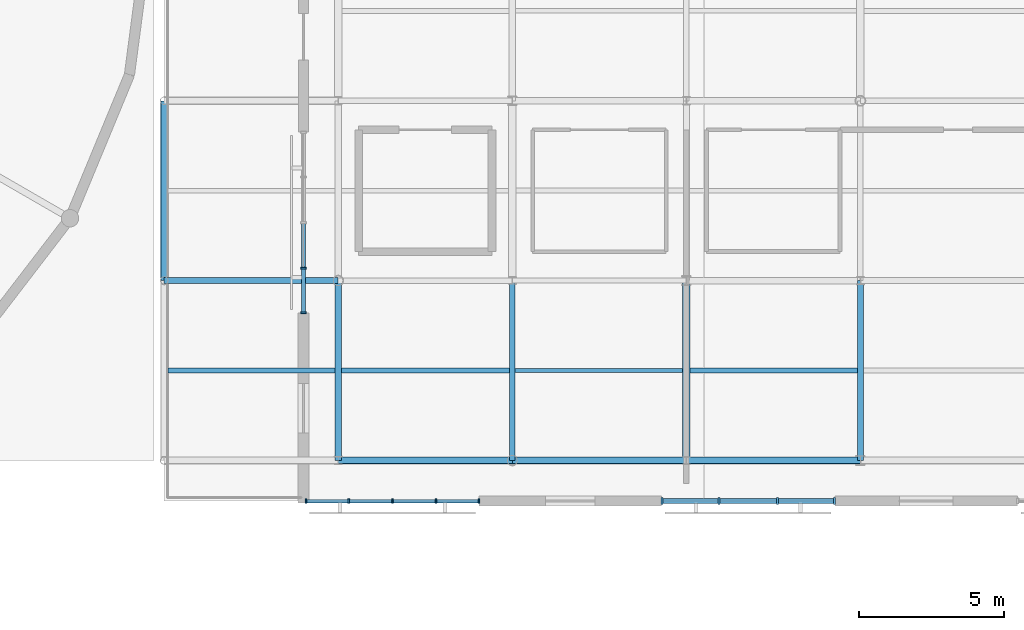
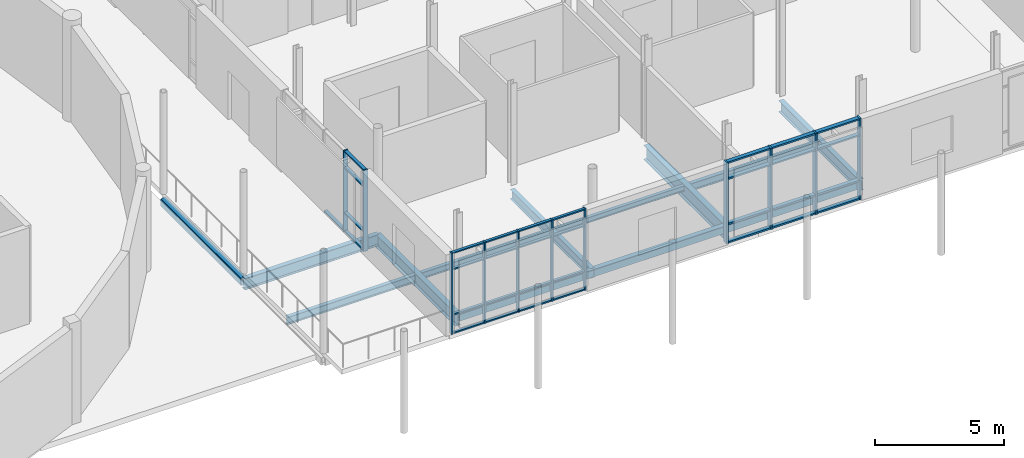
# One storey, part 25 of 84: 44 members, 13 beams, 3 elements without a shape of their own.
"""IFC4 building model written with IfcOpenShell, lengths in metres."""

from ifc_helpers import new_model, si_unit, direction, frame, origin, origin_2d, place, context, subcontext, project, spatial, rectangle, hollow_rectangle, i_section, extrude, material, layer, layer_set, material_profile, profile_set, type_object, element, aggregate, save


model = new_model("IFC4")

# Units and contexts
model_context = context("Model", 3, precision=1e-05, world=origin(), true_north=direction((0.0, 1.0)))
body_context = subcontext(model_context, "Body", "Model", "MODEL_VIEW")
ifc_project = project(units=[si_unit("LENGTHUNIT", "METRE"), si_unit("AREAUNIT", "SQUARE_METRE"), si_unit("VOLUMEUNIT", "CUBIC_METRE"), si_unit("PLANEANGLEUNIT", "RADIAN"), si_unit("MASSUNIT", "GRAM", prefix="KILO")], contexts=[model_context])

# Site, building, storey
site_placement = place(None, origin())
site = spatial("IfcSite", under=ifc_project, at=site_placement, CompositionType="ELEMENT")
building_placement = place(site_placement, origin())
building = spatial("IfcBuilding", under=site, at=building_placement, Name="Mirzam Square Science Centre", CompositionType="ELEMENT")
storey_placement = place(building_placement, frame((0.0, 0.0, 10.800048828125)))
storey = spatial("IfcBuildingStorey", under=building, at=storey_placement, Name="L02", CompositionType="ELEMENT", Elevation=10.800048828125)

# Beams
ifc_material_1 = material(Name="Steel S355", Category="steel")
ifc_material_profile_1 = material_profile(ifc_material_1, i_section(OverallWidth=0.19140625, OverallDepth=0.4599609375, WebThickness=0.010009765625, FlangeThickness=0.01611328125, FilletRadius=0.01025390625, at=origin_2d()), Name="457x191x82UB")
ifc_profile_set_1 = profile_set([ifc_material_profile_1], Name="Steel S355")
beam_type_1 = type_object("IfcBeamType", Name="BM-UB457", PredefinedType="BEAM", material=ifc_profile_set_1)
beam_1_placement = place(storey_placement, frame((114.0, 43.39990234375, -0.47998046875), z_axis=(0.0, 1.0, 0.0), x_axis=(-1.0, 0.0, 0.0)))
element("IfcBeam", 1, at=beam_1_placement, inside=storey, type_object=beam_type_1, Name="L02 girder Y20-8", PredefinedType="BEAM", context=body_context, shape_type="SweptSolid", body=[
    extrude(i_section(OverallWidth=0.19140625, OverallDepth=0.4599609375, WebThickness=0.010009765625, FlangeThickness=0.01611328125, FilletRadius=0.01025390625, at=origin_2d()), origin(), (0.0, 0.0, 1.0), 6.2001953125),
])
ifc_material_profile_2 = material_profile(ifc_material_1, i_section(OverallWidth=0.2099609375, OverallDepth=0.53662109375, WebThickness=0.0107421875, FlangeThickness=0.017333984375, FilletRadius=0.0126953125, at=origin_2d()), Name="533x210x101UB")
ifc_profile_set_2 = profile_set([ifc_material_profile_2], Name="Steel S355")
beam_type_2 = type_object("IfcBeamType", Name="BM-UB533", PredefinedType="BEAM", material=ifc_profile_set_2)
beam_2_placement = place(storey_placement, frame((102.0, 49.60009765625, -0.518310546875), z_axis=(1.0, 0.0, 0.0), x_axis=(0.0, 1.0, 0.0)))
element("IfcBeam", 2, at=beam_2_placement, inside=storey, type_object=beam_type_2, Name="L02 girder X18-9", PredefinedType="BEAM", context=body_context, shape_type="SweptSolid", body=[
    extrude(i_section(OverallWidth=0.2099609375, OverallDepth=0.53662109375, WebThickness=0.0107421875, FlangeThickness=0.017333984375, FilletRadius=0.0126953125, at=origin_2d()), origin(), (0.0, 0.0, 1.0), 6.0),
])
beam_3_placement = place(storey_placement, frame((126.0, 43.39990234375, -0.518310546875), z_axis=(0.0, 1.0, 0.0), x_axis=(-1.0, 0.0, 0.0)))
element("IfcBeam", 3, at=beam_3_placement, inside=storey, type_object=beam_type_2, Name="L02 girder Y22-8", PredefinedType="BEAM", context=body_context, shape_type="SweptSolid", body=[
    extrude(i_section(OverallWidth=0.2099609375, OverallDepth=0.53662109375, WebThickness=0.0107421875, FlangeThickness=0.017333984375, FilletRadius=0.0126953125, at=origin_2d()), origin(), (0.0, 0.0, 1.0), 6.2001953125),
])
ifc_material_profile_3 = material_profile(ifc_material_1, i_section(OverallWidth=0.22900390625, OverallDepth=0.6123046875, WebThickness=0.011962890625, FlangeThickness=0.01953125, FilletRadius=0.0126953125, at=origin_2d()), Name="610x229x125UB")
ifc_profile_set_3 = profile_set([ifc_material_profile_3], Name="Steel S355")
beam_type_3 = type_object("IfcBeamType", Name="BM-UB610", PredefinedType="BEAM", material=ifc_profile_set_3)
beam_4_placement = place(storey_placement, frame((108.0, 43.39990234375, -0.55615234375), z_axis=(0.0, 1.0, 0.0), x_axis=(-1.0, 0.0, 0.0)))
element("IfcBeam", 4, at=beam_4_placement, inside=storey, type_object=beam_type_3, Name="L02 girder Y19-8", PredefinedType="BEAM", context=body_context, shape_type="SweptSolid", body=[
    extrude(i_section(OverallWidth=0.22900390625, OverallDepth=0.6123046875, WebThickness=0.011962890625, FlangeThickness=0.01953125, FilletRadius=0.0126953125, at=origin_2d()), origin(), (0.0, 0.0, 1.0), 6.2001953125),
])
ifc_material_profile_4 = material_profile(ifc_material_1, i_section(OverallWidth=0.25439453125, OverallDepth=0.6875, WebThickness=0.01318359375, FlangeThickness=0.02099609375, FilletRadius=0.01513671875, at=origin_2d()), Name="686x254x152UB")
ifc_profile_set_4 = profile_set([ifc_material_profile_4], Name="Steel S355")
beam_type_4 = type_object("IfcBeamType", Name="BM-UB686", PredefinedType="BEAM", material=ifc_profile_set_4)
beam_5_placement = place(storey_placement, frame((120.0, 43.39990234375, -0.59375), z_axis=(0.0, 1.0, 0.0), x_axis=(-1.0, 0.0, 0.0)))
element("IfcBeam", 5, at=beam_5_placement, inside=storey, type_object=beam_type_4, Name="L02 girder Y21-8", PredefinedType="BEAM", context=body_context, shape_type="SweptSolid", body=[
    extrude(i_section(OverallWidth=0.25439453125, OverallDepth=0.6875, WebThickness=0.01318359375, FlangeThickness=0.02099609375, FilletRadius=0.01513671875, at=origin_2d()), origin(), (0.0, 0.0, 1.0), 6.2001953125),
])

# Curtain wall, members
ifc_material_2 = material(Name="Anodised Aluminium and Low-E Solar Glass", Category="aluminium")
ifc_layer_1 = layer(ifc_material_2, 0.159912109375)
ifc_layer_set_1 = layer_set([ifc_layer_1], Name="CW-COURT-B")
curtain_wall_type_1 = type_object("IfcCurtainWallType", Name="CW-COURT-B", PredefinedType="USERDEFINED", material=ifc_layer_set_1)
curtain_wall_1_placement = place(storey_placement, origin())
curtain_wall_1 = element("IfcCurtainWall", 6, at=curtain_wall_1_placement, inside=storey, type_object=curtain_wall_type_1, Name="L02 unitised curtain wall 100", ObjectType="UNITISED CURTAIN WALL", PredefinedType="USERDEFINED")
ifc_material_3 = material(Name="Anodised Architectural Aluminium 6063-T6", Category="aluminium")
ifc_material_profile_5 = material_profile(ifc_material_3, rectangle(XDim=0.06005859375, YDim=0.159912109375, at=origin_2d()), Name="ALU-MULL-160x60x4")
ifc_profile_set_5 = profile_set([ifc_material_profile_5], Name="Anodised Architectural Aluminium 6063-T6")
member_type_1 = type_object("IfcMemberType", Name="CWM-160", PredefinedType="MULLION", material=ifc_profile_set_5)
member_1_placement = place(storey_placement, frame((106.885009765625, 42.0, 0.0), z_axis=(0.0, 0.0, 1.0), x_axis=(1.0, 0.0, 0.0)))
member_1 = element("IfcMember", 7, at=member_1_placement, type_object=member_type_1, Name="CW-04 mullion 1", PredefinedType="MULLION", context=body_context, shape_type="SweptSolid", body=[
    extrude(rectangle(XDim=0.06005859375, YDim=0.159912109375, at=origin_2d()), origin(), (0.0, 0.0, 1.0), 3.83984375),
])
member_2_placement = place(storey_placement, frame((108.36083984375, 42.0, 0.0), z_axis=(0.0, 0.0, 1.0), x_axis=(1.0, 0.0, 0.0)))
member_2 = element("IfcMember", 8, at=member_2_placement, type_object=member_type_1, Name="CW-04 mullion 2", PredefinedType="MULLION", context=body_context, shape_type="SweptSolid", body=[
    extrude(rectangle(XDim=0.06005859375, YDim=0.159912109375, at=origin_2d()), origin(), (0.0, 0.0, 1.0), 3.83984375),
])
member_3_placement = place(storey_placement, frame((109.86669921875, 42.0, 0.0), z_axis=(0.0, 0.0, 1.0), x_axis=(1.0, 0.0, 0.0)))
member_3 = element("IfcMember", 9, at=member_3_placement, type_object=member_type_1, Name="CW-04 mullion 3", PredefinedType="MULLION", context=body_context, shape_type="SweptSolid", body=[
    extrude(rectangle(XDim=0.06005859375, YDim=0.159912109375, at=origin_2d()), origin(), (0.0, 0.0, 1.0), 3.83984375),
])
member_4_placement = place(storey_placement, frame((111.37255859375, 42.0, 0.0), z_axis=(0.0, 0.0, 1.0), x_axis=(1.0, 0.0, 0.0)))
member_4 = element("IfcMember", 10, at=member_4_placement, type_object=member_type_1, Name="CW-04 mullion 4", PredefinedType="MULLION", context=body_context, shape_type="SweptSolid", body=[
    extrude(rectangle(XDim=0.06005859375, YDim=0.159912109375, at=origin_2d()), origin(), (0.0, 0.0, 1.0), 3.83984375),
])
member_5_placement = place(storey_placement, frame((112.848388671875, 42.0, 0.0), z_axis=(0.0, 0.0, 1.0), x_axis=(1.0, 0.0, 0.0)))
member_5 = element("IfcMember", 11, at=member_5_placement, type_object=member_type_1, Name="CW-04 mullion 5", PredefinedType="MULLION", context=body_context, shape_type="SweptSolid", body=[
    extrude(rectangle(XDim=0.06005859375, YDim=0.159912109375, at=origin_2d()), origin(), (0.0, 0.0, 1.0), 3.83984375),
])

ifc_layer_2 = layer(ifc_material_2, 0.179931640625)
ifc_layer_set_2 = layer_set([ifc_layer_2], Name="CW-LINK-A")
curtain_wall_type_2 = type_object("IfcCurtainWallType", Name="CW-LINK-A", PredefinedType="USERDEFINED", material=ifc_layer_set_2)
curtain_wall_2_placement = place(storey_placement, origin())
curtain_wall_2 = element("IfcCurtainWall", 12, at=curtain_wall_2_placement, inside=storey, type_object=curtain_wall_type_2, Name="L02 unitised curtain wall 112", ObjectType="UNITISED CURTAIN WALL", PredefinedType="USERDEFINED")
ifc_material_profile_6 = material_profile(ifc_material_3, rectangle(XDim=0.06494140625, YDim=0.199951171875, at=origin_2d()), Name="ALU-MULL-200x65x5")
ifc_profile_set_6 = profile_set([ifc_material_profile_6], Name="Anodised Architectural Aluminium 6063-T6")
member_type_2 = type_object("IfcMemberType", Name="CWM-200", PredefinedType="MULLION", material=ifc_profile_set_6)
member_6_placement = place(storey_placement, frame((106.800048828125, 50.027587890625, 0.0), z_axis=(0.0, 0.0, 1.0), x_axis=(0.0, -1.0, 0.0)))
member_6 = element("IfcMember", 13, at=member_6_placement, type_object=member_type_2, Name="CW-08 mullion 4", PredefinedType="MULLION", context=body_context, shape_type="SweptSolid", body=[
    extrude(rectangle(XDim=0.06494140625, YDim=0.199951171875, at=origin_2d()), origin(), (0.0, 0.0, 1.0), 3.83984375),
])
member_7_placement = place(storey_placement, frame((106.800048828125, 48.487548828125, 0.0), z_axis=(0.0, 0.0, 1.0), x_axis=(0.0, -1.0, 0.0)))
member_7 = element("IfcMember", 14, at=member_7_placement, type_object=member_type_2, Name="CW-08 mullion 5", PredefinedType="MULLION", context=body_context, shape_type="SweptSolid", body=[
    extrude(rectangle(XDim=0.06494140625, YDim=0.199951171875, at=origin_2d()), origin(), (0.0, 0.0, 1.0), 3.83984375),
])

ifc_layer_3 = layer(ifc_material_2, 0.239990234375)
ifc_layer_set_3 = layer_set([ifc_layer_3], Name="CW-EAST-B")
curtain_wall_type_3 = type_object("IfcCurtainWallType", Name="CW-EAST-B", PredefinedType="USERDEFINED", material=ifc_layer_set_3)
curtain_wall_3_placement = place(storey_placement, origin())
curtain_wall_3 = element("IfcCurtainWall", 15, at=curtain_wall_3_placement, inside=storey, type_object=curtain_wall_type_3, Name="L02 unitised curtain wall 101", ObjectType="UNITISED CURTAIN WALL", PredefinedType="USERDEFINED")
ifc_material_profile_7 = material_profile(ifc_material_3, rectangle(XDim=0.074951171875, YDim=0.239990234375, at=origin_2d()), Name="ALU-MULL-240x75x5")
ifc_profile_set_7 = profile_set([ifc_material_profile_7], Name="Anodised Architectural Aluminium 6063-T6")
member_type_3 = type_object("IfcMemberType", Name="CWM-240", PredefinedType="MULLION", material=ifc_profile_set_7)
member_8_placement = place(storey_placement, frame((119.1591796875, 42.0, 0.0), z_axis=(0.0, 0.0, 1.0), x_axis=(1.0, 0.0, 0.0)))
member_8 = element("IfcMember", 16, at=member_8_placement, type_object=member_type_3, Name="CW-06 mullion 1", PredefinedType="MULLION", context=body_context, shape_type="SweptSolid", body=[
    extrude(rectangle(XDim=0.074951171875, YDim=0.239990234375, at=origin_2d()), origin(), (0.0, 0.0, 1.0), 3.83984375),
])
member_9_placement = place(storey_placement, frame((121.12939453125, 42.0, 0.0), z_axis=(0.0, 0.0, 1.0), x_axis=(1.0, 0.0, 0.0)))
member_9 = element("IfcMember", 17, at=member_9_placement, type_object=member_type_3, Name="CW-06 mullion 2", PredefinedType="MULLION", context=body_context, shape_type="SweptSolid", body=[
    extrude(rectangle(XDim=0.074951171875, YDim=0.239990234375, at=origin_2d()), origin(), (0.0, 0.0, 1.0), 3.83984375),
])
member_10_placement = place(storey_placement, frame((123.13720703125, 42.0, 0.0), z_axis=(0.0, 0.0, 1.0), x_axis=(1.0, 0.0, 0.0)))
member_10 = element("IfcMember", 18, at=member_10_placement, type_object=member_type_3, Name="CW-06 mullion 3", PredefinedType="MULLION", context=body_context, shape_type="SweptSolid", body=[
    extrude(rectangle(XDim=0.074951171875, YDim=0.239990234375, at=origin_2d()), origin(), (0.0, 0.0, 1.0), 3.83984375),
])
member_11_placement = place(storey_placement, frame((125.107421875, 42.0, 0.0), z_axis=(0.0, 0.0, 1.0), x_axis=(1.0, 0.0, 0.0)))
member_11 = element("IfcMember", 19, at=member_11_placement, type_object=member_type_3, Name="CW-06 mullion 4", PredefinedType="MULLION", context=body_context, shape_type="SweptSolid", body=[
    extrude(rectangle(XDim=0.074951171875, YDim=0.239990234375, at=origin_2d()), origin(), (0.0, 0.0, 1.0), 3.83984375),
])

# Member
ifc_material_profile_8 = material_profile(ifc_material_3, rectangle(XDim=0.1201171875, YDim=0.06005859375, at=origin_2d()), Name="ALU-TRAN-120x60x4")
ifc_profile_set_8 = profile_set([ifc_material_profile_8], Name="Anodised Architectural Aluminium 6063-T6")
member_type_4 = type_object("IfcMemberType", Name="CWT-120", PredefinedType="USERDEFINED", material=ifc_profile_set_8)
member_12_placement = place(storey_placement, frame((106.9150390625, 42.0, 0.030029296875), z_axis=(1.0, 0.0, 0.0), x_axis=(0.0, 1.0, 0.0)))
member_12 = element("IfcMember", 20, at=member_12_placement, type_object=member_type_4, Name="CW-04 transom 1.1", ObjectType="TRANSOM", PredefinedType="USERDEFINED", context=body_context, shape_type="SweptSolid", body=[
    extrude(rectangle(XDim=0.1201171875, YDim=0.06005859375, at=origin_2d()), origin(), (0.0, 0.0, 1.0), 1.415771484375),
])

member_13_placement = place(storey_placement, frame((106.9150390625, 42.0, 0.89990234375), z_axis=(1.0, 0.0, 0.0), x_axis=(0.0, 1.0, 0.0)))
member_13 = element("IfcMember", 21, at=member_13_placement, type_object=member_type_4, Name="CW-04 transom 1.2", ObjectType="TRANSOM", PredefinedType="USERDEFINED", context=body_context, shape_type="SweptSolid", body=[
    extrude(rectangle(XDim=0.1201171875, YDim=0.06005859375, at=origin_2d()), origin(), (0.0, 0.0, 1.0), 1.415771484375),
])

member_14_placement = place(storey_placement, frame((106.9150390625, 42.0, 3.0400390625), z_axis=(1.0, 0.0, 0.0), x_axis=(0.0, 1.0, 0.0)))
member_14 = element("IfcMember", 22, at=member_14_placement, type_object=member_type_4, Name="CW-04 transom 1.3", ObjectType="TRANSOM", PredefinedType="USERDEFINED", context=body_context, shape_type="SweptSolid", body=[
    extrude(rectangle(XDim=0.1201171875, YDim=0.06005859375, at=origin_2d()), origin(), (0.0, 0.0, 1.0), 1.415771484375),
])

member_15_placement = place(storey_placement, frame((106.9150390625, 42.0, 3.81005859375), z_axis=(1.0, 0.0, 0.0), x_axis=(0.0, 1.0, 0.0)))
member_15 = element("IfcMember", 23, at=member_15_placement, type_object=member_type_4, Name="CW-04 transom 1.4", ObjectType="TRANSOM", PredefinedType="USERDEFINED", context=body_context, shape_type="SweptSolid", body=[
    extrude(rectangle(XDim=0.1201171875, YDim=0.06005859375, at=origin_2d()), origin(), (0.0, 0.0, 1.0), 1.415771484375),
])

member_16_placement = place(storey_placement, frame((108.390869140625, 42.0, 0.030029296875), z_axis=(1.0, 0.0, 0.0), x_axis=(0.0, 1.0, 0.0)))
member_16 = element("IfcMember", 24, at=member_16_placement, type_object=member_type_4, Name="CW-04 transom 2.1", ObjectType="TRANSOM", PredefinedType="USERDEFINED", context=body_context, shape_type="SweptSolid", body=[
    extrude(rectangle(XDim=0.1201171875, YDim=0.06005859375, at=origin_2d()), origin(), (0.0, 0.0, 1.0), 1.44580078125),
])

member_17_placement = place(storey_placement, frame((108.390869140625, 42.0, 0.89990234375), z_axis=(1.0, 0.0, 0.0), x_axis=(0.0, 1.0, 0.0)))
member_17 = element("IfcMember", 25, at=member_17_placement, type_object=member_type_4, Name="CW-04 transom 2.2", ObjectType="TRANSOM", PredefinedType="USERDEFINED", context=body_context, shape_type="SweptSolid", body=[
    extrude(rectangle(XDim=0.1201171875, YDim=0.06005859375, at=origin_2d()), origin(), (0.0, 0.0, 1.0), 1.44580078125),
])

member_18_placement = place(storey_placement, frame((108.390869140625, 42.0, 3.0400390625), z_axis=(1.0, 0.0, 0.0), x_axis=(0.0, 1.0, 0.0)))
member_18 = element("IfcMember", 26, at=member_18_placement, type_object=member_type_4, Name="CW-04 transom 2.3", ObjectType="TRANSOM", PredefinedType="USERDEFINED", context=body_context, shape_type="SweptSolid", body=[
    extrude(rectangle(XDim=0.1201171875, YDim=0.06005859375, at=origin_2d()), origin(), (0.0, 0.0, 1.0), 1.44580078125),
])

member_19_placement = place(storey_placement, frame((108.390869140625, 42.0, 3.81005859375), z_axis=(1.0, 0.0, 0.0), x_axis=(0.0, 1.0, 0.0)))
member_19 = element("IfcMember", 27, at=member_19_placement, type_object=member_type_4, Name="CW-04 transom 2.4", ObjectType="TRANSOM", PredefinedType="USERDEFINED", context=body_context, shape_type="SweptSolid", body=[
    extrude(rectangle(XDim=0.1201171875, YDim=0.06005859375, at=origin_2d()), origin(), (0.0, 0.0, 1.0), 1.44580078125),
])

member_20_placement = place(storey_placement, frame((109.896728515625, 42.0, 0.030029296875), z_axis=(1.0, 0.0, 0.0), x_axis=(0.0, 1.0, 0.0)))
member_20 = element("IfcMember", 28, at=member_20_placement, type_object=member_type_4, Name="CW-04 transom 3.1", ObjectType="TRANSOM", PredefinedType="USERDEFINED", context=body_context, shape_type="SweptSolid", body=[
    extrude(rectangle(XDim=0.1201171875, YDim=0.06005859375, at=origin_2d()), origin(), (0.0, 0.0, 1.0), 1.44580078125),
])

member_21_placement = place(storey_placement, frame((109.896728515625, 42.0, 0.89990234375), z_axis=(1.0, 0.0, 0.0), x_axis=(0.0, 1.0, 0.0)))
member_21 = element("IfcMember", 29, at=member_21_placement, type_object=member_type_4, Name="CW-04 transom 3.2", ObjectType="TRANSOM", PredefinedType="USERDEFINED", context=body_context, shape_type="SweptSolid", body=[
    extrude(rectangle(XDim=0.1201171875, YDim=0.06005859375, at=origin_2d()), origin(), (0.0, 0.0, 1.0), 1.44580078125),
])

member_22_placement = place(storey_placement, frame((109.896728515625, 42.0, 3.0400390625), z_axis=(1.0, 0.0, 0.0), x_axis=(0.0, 1.0, 0.0)))
member_22 = element("IfcMember", 30, at=member_22_placement, type_object=member_type_4, Name="CW-04 transom 3.3", ObjectType="TRANSOM", PredefinedType="USERDEFINED", context=body_context, shape_type="SweptSolid", body=[
    extrude(rectangle(XDim=0.1201171875, YDim=0.06005859375, at=origin_2d()), origin(), (0.0, 0.0, 1.0), 1.44580078125),
])

member_23_placement = place(storey_placement, frame((109.896728515625, 42.0, 3.81005859375), z_axis=(1.0, 0.0, 0.0), x_axis=(0.0, 1.0, 0.0)))
member_23 = element("IfcMember", 31, at=member_23_placement, type_object=member_type_4, Name="CW-04 transom 3.4", ObjectType="TRANSOM", PredefinedType="USERDEFINED", context=body_context, shape_type="SweptSolid", body=[
    extrude(rectangle(XDim=0.1201171875, YDim=0.06005859375, at=origin_2d()), origin(), (0.0, 0.0, 1.0), 1.44580078125),
])

member_24_placement = place(storey_placement, frame((111.402587890625, 42.0, 0.030029296875), z_axis=(1.0, 0.0, 0.0), x_axis=(0.0, 1.0, 0.0)))
member_24 = element("IfcMember", 32, at=member_24_placement, type_object=member_type_4, Name="CW-04 transom 4.1", ObjectType="TRANSOM", PredefinedType="USERDEFINED", context=body_context, shape_type="SweptSolid", body=[
    extrude(rectangle(XDim=0.1201171875, YDim=0.06005859375, at=origin_2d()), origin(), (0.0, 0.0, 1.0), 1.415771484375),
])

member_25_placement = place(storey_placement, frame((111.402587890625, 42.0, 0.89990234375), z_axis=(1.0, 0.0, 0.0), x_axis=(0.0, 1.0, 0.0)))
member_25 = element("IfcMember", 33, at=member_25_placement, type_object=member_type_4, Name="CW-04 transom 4.2", ObjectType="TRANSOM", PredefinedType="USERDEFINED", context=body_context, shape_type="SweptSolid", body=[
    extrude(rectangle(XDim=0.1201171875, YDim=0.06005859375, at=origin_2d()), origin(), (0.0, 0.0, 1.0), 1.415771484375),
])

member_26_placement = place(storey_placement, frame((111.402587890625, 42.0, 3.0400390625), z_axis=(1.0, 0.0, 0.0), x_axis=(0.0, 1.0, 0.0)))
member_26 = element("IfcMember", 34, at=member_26_placement, type_object=member_type_4, Name="CW-04 transom 4.3", ObjectType="TRANSOM", PredefinedType="USERDEFINED", context=body_context, shape_type="SweptSolid", body=[
    extrude(rectangle(XDim=0.1201171875, YDim=0.06005859375, at=origin_2d()), origin(), (0.0, 0.0, 1.0), 1.415771484375),
])

member_27_placement = place(storey_placement, frame((111.402587890625, 42.0, 3.81005859375), z_axis=(1.0, 0.0, 0.0), x_axis=(0.0, 1.0, 0.0)))
member_27 = element("IfcMember", 35, at=member_27_placement, type_object=member_type_4, Name="CW-04 transom 4.4", ObjectType="TRANSOM", PredefinedType="USERDEFINED", context=body_context, shape_type="SweptSolid", body=[
    extrude(rectangle(XDim=0.1201171875, YDim=0.06005859375, at=origin_2d()), origin(), (0.0, 0.0, 1.0), 1.415771484375),
])

aggregate(curtain_wall_1, [member_1, member_2, member_3, member_4, member_5, member_12, member_13, member_14, member_15, member_16, member_17, member_18, member_19, member_20, member_21, member_22, member_23, member_24, member_25, member_26, member_27])

ifc_material_profile_9 = material_profile(ifc_material_3, rectangle(XDim=0.14990234375, YDim=0.06494140625, at=origin_2d()), Name="ALU-TRAN-150x65x4")
ifc_profile_set_9 = profile_set([ifc_material_profile_9], Name="Anodised Architectural Aluminium 6063-T6")
member_type_5 = type_object("IfcMemberType", Name="CWT-150", PredefinedType="USERDEFINED", material=ifc_profile_set_9)
member_28_placement = place(storey_placement, frame((106.800048828125, 51.5673828125, 0.032470703125), z_axis=(0.0, -1.0, 0.0), x_axis=(1.0, 0.0, 0.0)))
member_28 = element("IfcMember", 36, at=member_28_placement, type_object=member_type_5, Name="CW-08 transom 3.1", ObjectType="TRANSOM", PredefinedType="USERDEFINED", context=body_context, shape_type="SweptSolid", body=[
    extrude(rectangle(XDim=0.14990234375, YDim=0.06494140625, at=origin_2d()), origin(), (0.0, 0.0, 1.0), 1.50732421875),
])

member_29_placement = place(storey_placement, frame((106.800048828125, 49.9951171875, 0.032470703125), z_axis=(0.0, -1.0, 0.0), x_axis=(1.0, 0.0, 0.0)))
member_29 = element("IfcMember", 37, at=member_29_placement, type_object=member_type_5, Name="CW-08 transom 4.1", ObjectType="TRANSOM", PredefinedType="USERDEFINED", context=body_context, shape_type="SweptSolid", body=[
    extrude(rectangle(XDim=0.14990234375, YDim=0.06494140625, at=origin_2d()), origin(), (0.0, 0.0, 1.0), 1.47509765625),
])

member_30_placement = place(storey_placement, frame((106.800048828125, 49.9951171875, 0.89990234375), z_axis=(0.0, -1.0, 0.0), x_axis=(1.0, 0.0, 0.0)))
member_30 = element("IfcMember", 38, at=member_30_placement, type_object=member_type_5, Name="CW-08 transom 4.2", ObjectType="TRANSOM", PredefinedType="USERDEFINED", context=body_context, shape_type="SweptSolid", body=[
    extrude(rectangle(XDim=0.14990234375, YDim=0.06494140625, at=origin_2d()), origin(), (0.0, 0.0, 1.0), 1.47509765625),
])

member_31_placement = place(storey_placement, frame((106.800048828125, 49.9951171875, 3.0400390625), z_axis=(0.0, -1.0, 0.0), x_axis=(1.0, 0.0, 0.0)))
member_31 = element("IfcMember", 39, at=member_31_placement, type_object=member_type_5, Name="CW-08 transom 4.3", ObjectType="TRANSOM", PredefinedType="USERDEFINED", context=body_context, shape_type="SweptSolid", body=[
    extrude(rectangle(XDim=0.14990234375, YDim=0.06494140625, at=origin_2d()), origin(), (0.0, 0.0, 1.0), 1.47509765625),
])

member_32_placement = place(storey_placement, frame((106.800048828125, 49.9951171875, 3.807373046875), z_axis=(0.0, -1.0, 0.0), x_axis=(1.0, 0.0, 0.0)))
member_32 = element("IfcMember", 40, at=member_32_placement, type_object=member_type_5, Name="CW-08 transom 4.4", ObjectType="TRANSOM", PredefinedType="USERDEFINED", context=body_context, shape_type="SweptSolid", body=[
    extrude(rectangle(XDim=0.14990234375, YDim=0.06494140625, at=origin_2d()), origin(), (0.0, 0.0, 1.0), 1.47509765625),
])

aggregate(curtain_wall_2, [member_6, member_7, member_28, member_29, member_30, member_31, member_32])

ifc_material_profile_10 = material_profile(ifc_material_3, rectangle(XDim=0.179931640625, YDim=0.074951171875, at=origin_2d()), Name="ALU-TRAN-180x75x5")
ifc_profile_set_10 = profile_set([ifc_material_profile_10], Name="Anodised Architectural Aluminium 6063-T6")
member_type_6 = type_object("IfcMemberType", Name="CWT-180", PredefinedType="USERDEFINED", material=ifc_profile_set_10)
member_33_placement = place(storey_placement, frame((119.19677734375, 42.0, 0.037353515625), z_axis=(1.0, 0.0, 0.0), x_axis=(0.0, 1.0, 0.0)))
member_33 = element("IfcMember", 41, at=member_33_placement, type_object=member_type_6, Name="CW-06 transom 1.1", ObjectType="TRANSOM", PredefinedType="USERDEFINED", context=body_context, shape_type="SweptSolid", body=[
    extrude(rectangle(XDim=0.179931640625, YDim=0.074951171875, at=origin_2d()), origin(), (0.0, 0.0, 1.0), 1.895263671875),
])

member_34_placement = place(storey_placement, frame((119.19677734375, 42.0, 0.89990234375), z_axis=(1.0, 0.0, 0.0), x_axis=(0.0, 1.0, 0.0)))
member_34 = element("IfcMember", 42, at=member_34_placement, type_object=member_type_6, Name="CW-06 transom 1.2", ObjectType="TRANSOM", PredefinedType="USERDEFINED", context=body_context, shape_type="SweptSolid", body=[
    extrude(rectangle(XDim=0.179931640625, YDim=0.074951171875, at=origin_2d()), origin(), (0.0, 0.0, 1.0), 1.895263671875),
])

member_35_placement = place(storey_placement, frame((119.19677734375, 42.0, 3.0400390625), z_axis=(1.0, 0.0, 0.0), x_axis=(0.0, 1.0, 0.0)))
member_35 = element("IfcMember", 43, at=member_35_placement, type_object=member_type_6, Name="CW-06 transom 1.3", ObjectType="TRANSOM", PredefinedType="USERDEFINED", context=body_context, shape_type="SweptSolid", body=[
    extrude(rectangle(XDim=0.179931640625, YDim=0.074951171875, at=origin_2d()), origin(), (0.0, 0.0, 1.0), 1.895263671875),
])

member_36_placement = place(storey_placement, frame((119.19677734375, 42.0, 3.802490234375), z_axis=(1.0, 0.0, 0.0), x_axis=(0.0, 1.0, 0.0)))
member_36 = element("IfcMember", 44, at=member_36_placement, type_object=member_type_6, Name="CW-06 transom 1.4", ObjectType="TRANSOM", PredefinedType="USERDEFINED", context=body_context, shape_type="SweptSolid", body=[
    extrude(rectangle(XDim=0.179931640625, YDim=0.074951171875, at=origin_2d()), origin(), (0.0, 0.0, 1.0), 1.895263671875),
])

member_37_placement = place(storey_placement, frame((121.1669921875, 42.0, 0.037353515625), z_axis=(1.0, 0.0, 0.0), x_axis=(0.0, 1.0, 0.0)))
member_37 = element("IfcMember", 45, at=member_37_placement, type_object=member_type_6, Name="CW-06 transom 2.1", ObjectType="TRANSOM", PredefinedType="USERDEFINED", context=body_context, shape_type="SweptSolid", body=[
    extrude(rectangle(XDim=0.179931640625, YDim=0.074951171875, at=origin_2d()), origin(), (0.0, 0.0, 1.0), 1.932861328125),
])

member_38_placement = place(storey_placement, frame((121.1669921875, 42.0, 0.89990234375), z_axis=(1.0, 0.0, 0.0), x_axis=(0.0, 1.0, 0.0)))
member_38 = element("IfcMember", 46, at=member_38_placement, type_object=member_type_6, Name="CW-06 transom 2.2", ObjectType="TRANSOM", PredefinedType="USERDEFINED", context=body_context, shape_type="SweptSolid", body=[
    extrude(rectangle(XDim=0.179931640625, YDim=0.074951171875, at=origin_2d()), origin(), (0.0, 0.0, 1.0), 1.932861328125),
])

member_39_placement = place(storey_placement, frame((121.1669921875, 42.0, 3.0400390625), z_axis=(1.0, 0.0, 0.0), x_axis=(0.0, 1.0, 0.0)))
member_39 = element("IfcMember", 47, at=member_39_placement, type_object=member_type_6, Name="CW-06 transom 2.3", ObjectType="TRANSOM", PredefinedType="USERDEFINED", context=body_context, shape_type="SweptSolid", body=[
    extrude(rectangle(XDim=0.179931640625, YDim=0.074951171875, at=origin_2d()), origin(), (0.0, 0.0, 1.0), 1.932861328125),
])

member_40_placement = place(storey_placement, frame((121.1669921875, 42.0, 3.802490234375), z_axis=(1.0, 0.0, 0.0), x_axis=(0.0, 1.0, 0.0)))
member_40 = element("IfcMember", 48, at=member_40_placement, type_object=member_type_6, Name="CW-06 transom 2.4", ObjectType="TRANSOM", PredefinedType="USERDEFINED", context=body_context, shape_type="SweptSolid", body=[
    extrude(rectangle(XDim=0.179931640625, YDim=0.074951171875, at=origin_2d()), origin(), (0.0, 0.0, 1.0), 1.932861328125),
])

member_41_placement = place(storey_placement, frame((123.1748046875, 42.0, 0.037353515625), z_axis=(1.0, 0.0, 0.0), x_axis=(0.0, 1.0, 0.0)))
member_41 = element("IfcMember", 49, at=member_41_placement, type_object=member_type_6, Name="CW-06 transom 3.1", ObjectType="TRANSOM", PredefinedType="USERDEFINED", context=body_context, shape_type="SweptSolid", body=[
    extrude(rectangle(XDim=0.179931640625, YDim=0.074951171875, at=origin_2d()), origin(), (0.0, 0.0, 1.0), 1.895263671875),
])

member_42_placement = place(storey_placement, frame((123.1748046875, 42.0, 0.89990234375), z_axis=(1.0, 0.0, 0.0), x_axis=(0.0, 1.0, 0.0)))
member_42 = element("IfcMember", 50, at=member_42_placement, type_object=member_type_6, Name="CW-06 transom 3.2", ObjectType="TRANSOM", PredefinedType="USERDEFINED", context=body_context, shape_type="SweptSolid", body=[
    extrude(rectangle(XDim=0.179931640625, YDim=0.074951171875, at=origin_2d()), origin(), (0.0, 0.0, 1.0), 1.895263671875),
])

member_43_placement = place(storey_placement, frame((123.1748046875, 42.0, 3.0400390625), z_axis=(1.0, 0.0, 0.0), x_axis=(0.0, 1.0, 0.0)))
member_43 = element("IfcMember", 51, at=member_43_placement, type_object=member_type_6, Name="CW-06 transom 3.3", ObjectType="TRANSOM", PredefinedType="USERDEFINED", context=body_context, shape_type="SweptSolid", body=[
    extrude(rectangle(XDim=0.179931640625, YDim=0.074951171875, at=origin_2d()), origin(), (0.0, 0.0, 1.0), 1.895263671875),
])

member_44_placement = place(storey_placement, frame((123.1748046875, 42.0, 3.802490234375), z_axis=(1.0, 0.0, 0.0), x_axis=(0.0, 1.0, 0.0)))
member_44 = element("IfcMember", 52, at=member_44_placement, type_object=member_type_6, Name="CW-06 transom 3.4", ObjectType="TRANSOM", PredefinedType="USERDEFINED", context=body_context, shape_type="SweptSolid", body=[
    extrude(rectangle(XDim=0.179931640625, YDim=0.074951171875, at=origin_2d()), origin(), (0.0, 0.0, 1.0), 1.895263671875),
])

aggregate(curtain_wall_3, [member_8, member_9, member_10, member_11, member_33, member_34, member_35, member_36, member_37, member_38, member_39, member_40, member_41, member_42, member_43, member_44])

# Beams
ifc_material_profile_11 = material_profile(ifc_material_1, i_section(OverallWidth=0.146484375, OverallDepth=0.256103515625, WebThickness=0.00634765625, FlangeThickness=0.010986328125, FilletRadius=0.007568359375, at=origin_2d()), Name="254x146x37UB")
ifc_profile_set_11 = profile_set([ifc_material_profile_11], Name="Steel S355")
beam_type_5 = type_object("IfcBeamType", Name="JS-UB254", PredefinedType="JOIST", material=ifc_profile_set_11)
beam_6_placement = place(storey_placement, frame((114.095703125, 46.5, -0.3779296875), z_axis=(1.0, 0.0, 0.0), x_axis=(0.0, 1.0, 0.0)))
element("IfcBeam", 53, at=beam_6_placement, inside=storey, type_object=beam_type_5, Name="L02 composite joist 20-8", PredefinedType="JOIST", context=body_context, shape_type="SweptSolid", body=[
    extrude(i_section(OverallWidth=0.146484375, OverallDepth=0.256103515625, WebThickness=0.00634765625, FlangeThickness=0.010986328125, FilletRadius=0.007568359375, at=origin_2d()), origin(), (0.0, 0.0, 1.0), 5.777099609375),
])
ifc_material_profile_12 = material_profile(ifc_material_1, i_section(OverallWidth=0.165771484375, OverallDepth=0.306640625, WebThickness=0.006591796875, FlangeThickness=0.01171875, FilletRadius=0.0087890625, at=origin_2d()), Name="305x165x46UB")
ifc_profile_set_12 = profile_set([ifc_material_profile_12], Name="Steel S355")
beam_type_6 = type_object("IfcBeamType", Name="JS-UB305", PredefinedType="JOIST", material=ifc_profile_set_12)
beam_7_placement = place(storey_placement, frame((108.114501953125, 46.5, -0.4033203125), z_axis=(1.0, 0.0, 0.0), x_axis=(0.0, 1.0, 0.0)))
element("IfcBeam", 54, at=beam_7_placement, inside=storey, type_object=beam_type_6, Name="L02 composite joist 19-8", PredefinedType="JOIST", context=body_context, shape_type="SweptSolid", body=[
    extrude(i_section(OverallWidth=0.165771484375, OverallDepth=0.306640625, WebThickness=0.006591796875, FlangeThickness=0.01171875, FilletRadius=0.0087890625, at=origin_2d()), origin(), (0.0, 0.0, 1.0), 5.789794921875),
])
ifc_material_profile_13 = material_profile(ifc_material_1, i_section(OverallWidth=0.172119140625, OverallDepth=0.35791015625, WebThickness=0.008056640625, FlangeThickness=0.012939453125, FilletRadius=0.01025390625, at=origin_2d()), Name="356x171x57UB")
ifc_profile_set_13 = profile_set([ifc_material_profile_13], Name="Steel S355")
beam_type_7 = type_object("IfcBeamType", Name="JS-UB356", PredefinedType="JOIST", material=ifc_profile_set_13)
beam_8_placement = place(storey_placement, frame((102.125, 46.5, -0.428955078125), z_axis=(1.0, 0.0, 0.0), x_axis=(0.0, 1.0, 0.0)))
element("IfcBeam", 55, at=beam_8_placement, inside=storey, type_object=beam_type_7, Name="L02 composite joist 18-8", PredefinedType="JOIST", context=body_context, shape_type="SweptSolid", body=[
    extrude(i_section(OverallWidth=0.172119140625, OverallDepth=0.35791015625, WebThickness=0.008056640625, FlangeThickness=0.012939453125, FilletRadius=0.01025390625, at=origin_2d()), origin(), (0.0, 0.0, 1.0), 5.760498046875),
])
beam_9_placement = place(storey_placement, frame((120.127197265625, 46.5, -0.428955078125), z_axis=(1.0, 0.0, 0.0), x_axis=(0.0, 1.0, 0.0)))
element("IfcBeam", 56, at=beam_9_placement, inside=storey, type_object=beam_type_7, Name="L02 composite joist 21-8", PredefinedType="JOIST", context=body_context, shape_type="SweptSolid", body=[
    extrude(i_section(OverallWidth=0.172119140625, OverallDepth=0.35791015625, WebThickness=0.008056640625, FlangeThickness=0.012939453125, FilletRadius=0.01025390625, at=origin_2d()), origin(), (0.0, 0.0, 1.0), 5.767822265625),
])
ifc_material_profile_14 = material_profile(ifc_material_1, hollow_rectangle(XDim=0.25, YDim=0.35009765625, WallThickness=0.012451171875, InnerFilletRadius=0.012451171875, OuterFilletRadius=0.02490234375, at=origin_2d()), Name="350x250x12.5RHS")
ifc_profile_set_14 = profile_set([ifc_material_profile_14], Name="Steel S355")
beam_type_8 = type_object("IfcBeamType", Name="SP-RHS350", PredefinedType="SPANDREL", material=ifc_profile_set_14)
for number, where, z_axis, x_axis, name in (
    (57, (108.0, 43.39990234375, -0.425048828125), (1.0, 0.0, 0.0), (0.0, 1.0, 0.0), "L02 girder X19-8"),
    (58, (114.0, 43.39990234375, -0.425048828125), (1.0, 0.0, 0.0), (0.0, 1.0, 0.0), "L02 girder X20-8"),
    (59, (120.0, 43.39990234375, -0.425048828125), (1.0, 0.0, 0.0), (0.0, 1.0, 0.0), "L02 girder X21-8"),
):
    element("IfcBeam", number, at=place(storey_placement, frame(where, z_axis=z_axis, x_axis=x_axis)), inside=storey, type_object=beam_type_8, Name=name, PredefinedType="SPANDREL", context=body_context, shape_type="SweptSolid", body=[
        extrude(hollow_rectangle(XDim=0.25, YDim=0.35009765625, WallThickness=0.012451171875, InnerFilletRadius=0.012451171875, OuterFilletRadius=0.02490234375, at=origin_2d()), origin(), (0.0, 0.0, 1.0), 6.0),
    ])
beam_10_placement = place(storey_placement, frame((102.0, 49.60009765625, -0.425048828125), z_axis=(0.0, 1.0, 0.0), x_axis=(-1.0, 0.0, 0.0)))
element("IfcBeam", 60, at=beam_10_placement, inside=storey, type_object=beam_type_8, Name="L02 girder Y18-9", PredefinedType="SPANDREL", context=body_context, shape_type="SweptSolid", body=[
    extrude(hollow_rectangle(XDim=0.25, YDim=0.35009765625, WallThickness=0.012451171875, InnerFilletRadius=0.012451171875, OuterFilletRadius=0.02490234375, at=origin_2d()), origin(), (0.0, 0.0, 1.0), 6.199951171875),
])

save(model, "model.ifc")
